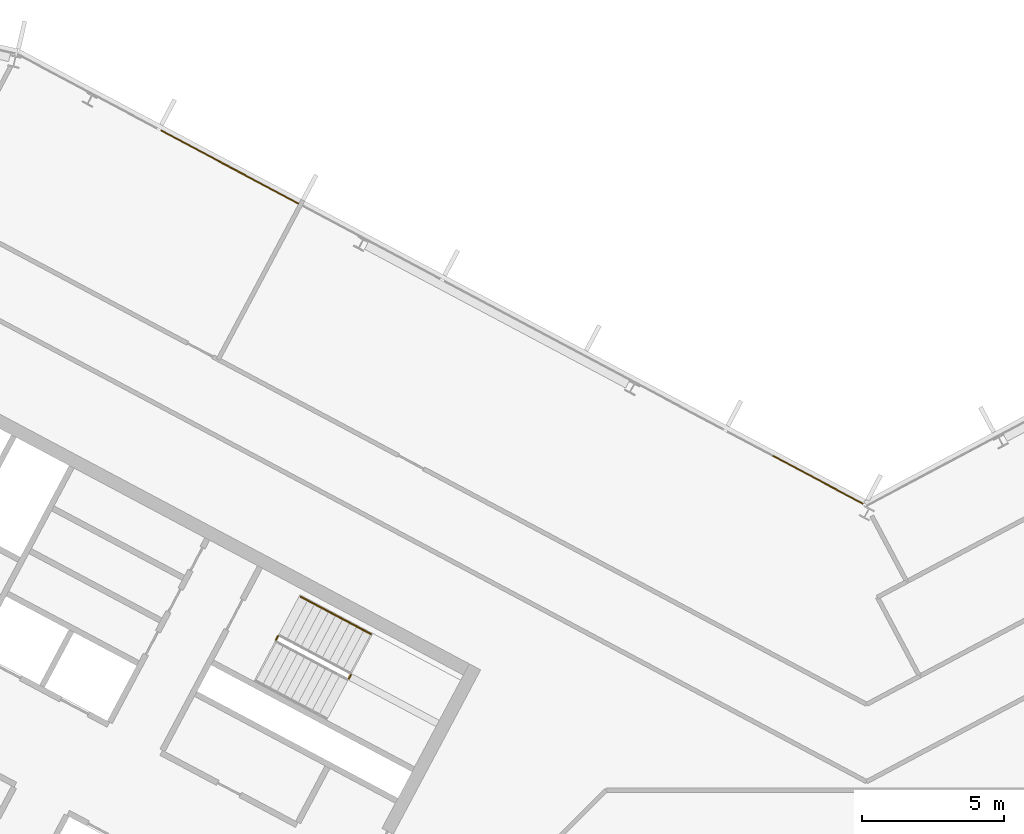
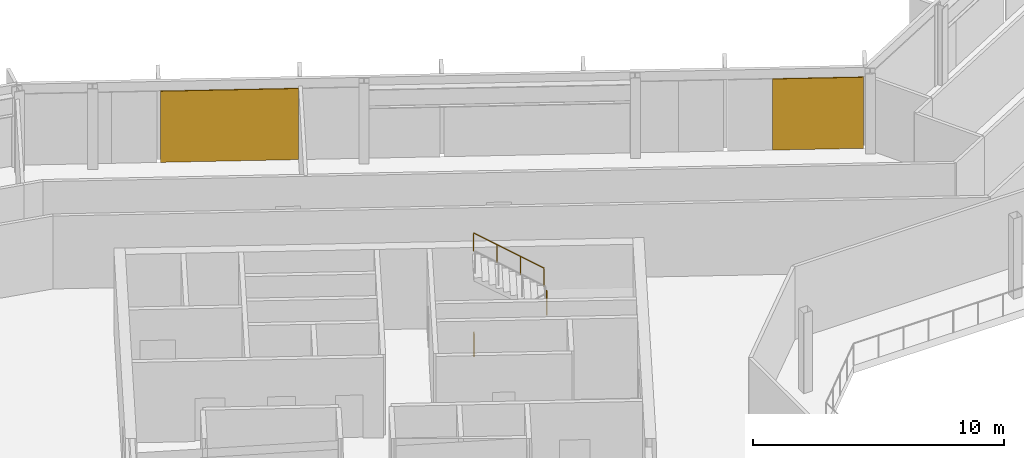
# One storey, part 23 of 26: 3 railings, 2 coverings, 1 element without a shape of its own.
"""IFC4 building model written with IfcOpenShell, lengths in metres."""

import ifcopenshell
import ifcopenshell.guid

model = None  # the IFC model being written
_history = None  # IfcOwnerHistory: only IFC2X3 demands one
_inside = {}  # id of a spatial element -> (the spatial element, [elements in it])
_under = {}  # id of a project, library or spatial element -> (it, [spatial elements below it])
_declared = {}  # id of a project -> (the project, [libraries it declares])
_typed = {}  # id of a type object -> (the type object, [elements of that type])
_made_of = {}  # id of a material, layer set ... -> (it, [elements and type objects made of it])


def new_model(schema):
    """Start an empty IFC model of exactly this schema.

    Asked for "IFC4X3", IfcOpenShell would pick the latest addendum, in which some entities
    have other attributes; the version numbers below select the first issue.
    IFC2X3 requires an IfcOwnerHistory on every rooted entity: one is made here for all.
    """
    global model, _history
    if schema == "IFC4X3":
        model = ifcopenshell.file(schema_version=(4, 3, 0, 0))
    else:
        model = ifcopenshell.file(schema=schema)
    _inside.clear()
    _under.clear()
    _declared.clear()
    _typed.clear()
    _made_of.clear()
    _history = None
    if model.schema == "IFC2X3":
        org = make("IfcOrganization", Name="unknown")
        user = make(
            "IfcPersonAndOrganization",
            ThePerson=make("IfcPerson", FamilyName="unknown"),
            TheOrganization=org,
        )
        app = make(
            "IfcApplication",
            ApplicationDeveloper=org,
            Version="unknown",
            ApplicationFullName="unknown",
            ApplicationIdentifier="unknown",
        )
        _history = make(
            "IfcOwnerHistory",
            OwningUser=user,
            OwningApplication=app,
            ChangeAction="ADDED",
            CreationDate=0,
        )
    return model


def make(cls, **values):
    """One entity of the class cls with the attributes given. An attribute that is None is left unset."""
    return model.create_entity(
        cls, **{name: value for name, value in values.items() if value is not None}
    )


def rooted(cls, **values):
    """An entity with a GlobalId (a new one), such as an element, a storey or a relation."""
    return make(cls, GlobalId=ifcopenshell.guid.new(), OwnerHistory=_history, **values)


def si_unit(unit_type, name, prefix=None):
    """IfcSIUnit, for example si_unit("LENGTHUNIT", "METRE", prefix="MILLI")."""
    return make("IfcSIUnit", UnitType=unit_type, Prefix=prefix, Name=name)


def assignment(units):
    """IfcUnitAssignment: the units of a project."""
    return None if units is None else make("IfcUnitAssignment", Units=units)


def point(xyz):
    """IfcCartesianPoint."""
    return None if xyz is None else make("IfcCartesianPoint", Coordinates=xyz)


def direction(xyz):
    """IfcDirection."""
    return None if xyz is None else make("IfcDirection", DirectionRatios=xyz)


def frame(location, z_axis=None, x_axis=None):
    """IfcAxis2Placement3D, a coordinate frame: its origin and axes. An axis left out is left unset."""
    return make(
        "IfcAxis2Placement3D",
        Location=point(location),
        Axis=direction(z_axis),
        RefDirection=direction(x_axis),
    )


def frame_2d(location, x_axis=None):
    """IfcAxis2Placement2D, a coordinate frame in the plane: its origin and x axis."""
    return make(
        "IfcAxis2Placement2D", Location=point(location), RefDirection=direction(x_axis)
    )


def origin():
    """The frame at (0, 0, 0) with its axes left unset."""
    return frame((0.0, 0.0, 0.0))


def origin_2d():
    """The frame at (0, 0) in the plane with its x axis left unset."""
    return frame_2d((0.0, 0.0))


def place(relative_to, where):
    """IfcLocalPlacement: puts the frame where relative to a parent placement (None: the world)."""
    return make(
        "IfcLocalPlacement", PlacementRelTo=relative_to, RelativePlacement=where
    )


def context(
    kind, dimensions, precision=None, world=None, true_north=None, identifier=None
):
    """IfcGeometricRepresentationContext, for example the 3D "Model" context."""
    return make(
        "IfcGeometricRepresentationContext",
        ContextIdentifier=identifier,
        ContextType=kind,
        CoordinateSpaceDimension=dimensions,
        Precision=precision,
        WorldCoordinateSystem=world,
        TrueNorth=true_north,
    )


def subcontext(parent, identifier, kind, view, scale=None):
    """IfcGeometricRepresentationSubContext, for example "Body" below "Model"."""
    return make(
        "IfcGeometricRepresentationSubContext",
        ContextIdentifier=identifier,
        ContextType=kind,
        ParentContext=parent,
        TargetScale=scale,
        TargetView=view,
    )


def project(units=None, contexts=None):
    """IfcProject with its units and contexts."""
    return rooted(
        "IfcProject",
        Name="project",
        RepresentationContexts=contexts,
        UnitsInContext=assignment(units),
    )


def spatial(cls, under=None, at=None, **own):
    """A site, building, storey or space (cls), placed at a placement, below another one or the project."""
    s = rooted(cls, ObjectPlacement=at, **own)
    if under is not None:
        _under.setdefault(under.id(), (under, []))[1].append(s)
    return s


def polyline(points):
    """IfcPolyline through the points."""
    return make("IfcPolyline", Points=[point(p) for p in points])


def profile(cls, at=None, kind="AREA", **sizes):
    """A parametric profile (cls). Its sizes go by their IFC names, for example OverallWidth=200.0."""
    return make(cls, ProfileType=kind, Position=at, **sizes)


def rectangle(**sizes):
    """IfcRectangleProfileDef."""
    return profile("IfcRectangleProfileDef", **sizes)


def outline(outer, holes=None, kind="AREA"):
    """IfcArbitraryClosedProfileDef: a profile drawn as a closed curve; with holes, ...WithVoids."""
    if holes is None:
        return make("IfcArbitraryClosedProfileDef", ProfileType=kind, OuterCurve=outer)
    return make(
        "IfcArbitraryProfileDefWithVoids",
        ProfileType=kind,
        OuterCurve=outer,
        InnerCurves=holes,
    )


def extrude(swept, where, along, depth):
    """IfcExtrudedAreaSolid: the profile swept, set in the frame where, extruded along a direction by depth."""
    return make(
        "IfcExtrudedAreaSolid",
        SweptArea=swept,
        Position=where,
        ExtrudedDirection=direction(along),
        Depth=depth,
    )


def shape(context_of_items, identifier, shape_type, items):
    """IfcShapeRepresentation: the items that make up one representation, for example the "Body"."""
    return make(
        "IfcShapeRepresentation",
        ContextOfItems=context_of_items,
        RepresentationIdentifier=identifier,
        RepresentationType=shape_type,
        Items=items,
    )


def material(Name=None, Category=None):
    """IfcMaterial."""
    return make("IfcMaterial", Name=Name, Category=Category)


def layer(
    of_material, thickness, ventilated=None, Name=None, Category=None, Priority=None
):
    """IfcMaterialLayer: one layer of a wall or slab, of a material (None: an air gap)."""
    return make(
        "IfcMaterialLayer",
        Material=of_material,
        LayerThickness=thickness,
        IsVentilated=ventilated,
        Name=Name,
        Category=Category,
        Priority=Priority,
    )


def layer_set(layers, Name=None):
    """IfcMaterialLayerSet."""
    return make("IfcMaterialLayerSet", MaterialLayers=layers, LayerSetName=Name)


def made_of(thing, what):
    """Note that an element or type object is made of a material, layer set ...; save() writes the relation."""
    if what is not None:
        _made_of.setdefault(what.id(), (what, []))[1].append(thing)
    return thing


def type_object(cls, material=None, **own):
    """A type object (cls), such as IfcWallType, which elements share."""
    return made_of(rooted(cls, **own), material)


def element(
    cls,
    number,
    at=None,
    inside=None,
    cuts=None,
    type_object=None,
    material=None,
    context=None,
    identifier="Body",
    shape_type=None,
    held_by="IfcProductDefinitionShape",
    body=None,
    shapes=None,
    **own,
):
    """One element of the class cls, such as IfcWall. Its Tag is "e" and its number.

    at: its placement. inside: the storey or other place that contains it. cuts: it is an
    opening in that element (IfcRelVoidsElement). A single representation is given by context,
    identifier, shape_type and body (its items); several are given by shapes. held_by: the class
    of the entity that holds the representations. save() writes the other relations.
    """
    e = rooted(cls, Tag="e%d" % number, ObjectPlacement=at, **own)
    if body is not None:
        shapes = [shape(context, identifier, shape_type, body)]
    if shapes is not None:
        e.Representation = make(held_by, Representations=shapes)
    if inside is not None:
        _inside.setdefault(inside.id(), (inside, []))[1].append(e)
    if cuts is not None:
        rooted(
            "IfcRelVoidsElement", RelatingBuildingElement=cuts, RelatedOpeningElement=e
        )
    if type_object is not None:
        _typed.setdefault(type_object.id(), (type_object, []))[1].append(e)
    return made_of(e, material)


def aggregate(whole, parts):
    """IfcRelAggregates: a whole, such as a stair, and the parts it consists of."""
    return rooted("IfcRelAggregates", RelatingObject=whole, RelatedObjects=parts)


def save(model, path):
    """Write the relations noted so far, then the file.

    IfcRelAggregates (storeys below a building ...), IfcRelContainedInSpatialStructure (elements
    in a storey), IfcRelDefinesByType, IfcRelAssociatesMaterial and IfcRelDeclares: one each for
    every whole, place, type object, material and project.
    """
    for whole, parts in _under.values():
        aggregate(whole, parts)
    for where, things in _inside.values():
        rooted(
            "IfcRelContainedInSpatialStructure",
            RelatedElements=things,
            RelatingStructure=where,
        )
    for kind, things in _typed.values():
        rooted("IfcRelDefinesByType", RelatedObjects=things, RelatingType=kind)
    for what, things in _made_of.values():
        rooted("IfcRelAssociatesMaterial", RelatedObjects=things, RelatingMaterial=what)
    for by, libraries in _declared.values():
        rooted("IfcRelDeclares", RelatingContext=by, RelatedDefinitions=libraries)
    model.write(path)


model = new_model("IFC4")

# Units and contexts
model_context = context("Model", 3, precision=1e-05, world=origin(), true_north=direction((0.0, 1.0)))
body_context = subcontext(model_context, "Body", "Model", "MODEL_VIEW")
ifc_project = project(units=[si_unit("LENGTHUNIT", "METRE"), si_unit("AREAUNIT", "SQUARE_METRE"), si_unit("VOLUMEUNIT", "CUBIC_METRE"), si_unit("PLANEANGLEUNIT", "RADIAN"), si_unit("MASSUNIT", "GRAM", prefix="KILO")], contexts=[model_context])

# Site, building, storey
site_placement = place(None, origin())
site = spatial("IfcSite", under=ifc_project, at=site_placement, CompositionType="ELEMENT")
building_placement = place(site_placement, origin())
building = spatial("IfcBuilding", under=site, at=building_placement, Name="Cormorant Relay Tower", CompositionType="ELEMENT")
storey_placement = place(building_placement, frame((0.0, 0.0, 293.10009765625)))
storey = spatial("IfcBuildingStorey", under=building, at=storey_placement, Name="L66", CompositionType="ELEMENT", Elevation=293.10009765625)

# Curtain wall, coverings
ifc_material_1 = material(Name="Aluminium 6063-T6 anodised bronze", Category="aluminium")
ifc_layer_1 = layer(ifc_material_1, 0.199951171875)
ifc_layer_set_1 = layer_set([ifc_layer_1], Name="CW1 unitised bronze curtain wall with vertical fins")
curtain_wall_type = type_object("IfcCurtainWallType", Name="CW1 unitised bronze curtain wall with vertical fins", PredefinedType="NOTDEFINED", material=ifc_layer_set_1)
curtain_wall_placement = place(storey_placement, origin())
curtain_wall = element("IfcCurtainWall", 1, at=curtain_wall_placement, inside=storey, type_object=curtain_wall_type, Name="CW1 curtain wall 9", PredefinedType="NOTDEFINED")
ifc_material_2 = material(Name="Pale bronze anodised aluminium insulated panel", Category="aluminium")
ifc_layer_2 = layer(ifc_material_2, 0.0400390625)
ifc_layer_set_2 = layer_set([ifc_layer_2], Name="CW1 pale bronze insulated panel 40")
covering_type = type_object("IfcCoveringType", Name="CW1 pale bronze insulated panel 40", PredefinedType="CLADDING", material=ifc_layer_set_2)
covering_1_placement = place(storey_placement, frame((-1.718505859375, 24.720458984375, 0.0), z_axis=(0.0, 0.0, 1.0), x_axis=(-0.882947592859, 0.469471562786, 0.0)))
covering_1 = element("IfcCovering", 2, at=covering_1_placement, type_object=covering_type, Name="CW1 panel S00", PredefinedType="CLADDING", context=body_context, shape_type="SweptSolid", body=[
    extrude(rectangle(XDim=3.614013671875, YDim=0.0400390625, at=origin_2d()), origin(), (0.0, 0.0, 1.0), 3.449951171875),
])
covering_2_placement = place(storey_placement, frame((-22.39599609375, 35.714599609375, 0.0), z_axis=(0.0, 0.0, 1.0), x_axis=(-0.882947592859, 0.469471562786, 0.0)))
covering_2 = element("IfcCovering", 3, at=covering_2_placement, type_object=covering_type, Name="CW1 panel S05", PredefinedType="CLADDING", context=body_context, shape_type="SweptSolid", body=[
    extrude(rectangle(XDim=5.489013671875, YDim=0.0400390625, at=origin_2d()), origin(), (0.0, 0.0, 1.0), 3.449951171875),
])
aggregate(curtain_wall, [covering_1, covering_2])

# Railings
ifc_material_3 = material(Name="Steel ASTM A572 Grade 50 (Fy 345 MPa)", Category="steel")
railing_type_1 = type_object("IfcRailingType", Name="Stair guard 1100", PredefinedType="GUARDRAIL", material=ifc_material_3)
railing_1_placement = place(storey_placement, frame((-18.210693359375, 17.72412109375, 1.949951171875)))
element("IfcRailing", 4, at=railing_1_placement, inside=storey, type_object=railing_type_1, Name="L66 A1 stair guard 2", PredefinedType="GUARDRAIL", context=body_context, shape_type="SweptSolid", body=[
    extrude(outline(polyline([(0.022216796875, 0.00927734375), (0.00927734375, 0.022216796875), (-0.00927734375, 0.022216796875), (-0.022216796875, 0.00927734375), (-0.022216796875, -0.00927734375), (-0.00927734375, -0.022216796875), (0.00927734375, -0.022216796875), (0.022216796875, -0.00927734375), (0.022216796875, 0.00927734375)])), frame((0.0, 0.0, 1.076171875), z_axis=(0.470503732759, 0.882398003998, 0.0), x_axis=(-0.882398003998, 0.470503732759, 0.0)), (0.0, 0.0, 1.0), 0.14990234375),
    extrude(outline(polyline([(0.019287109375, 0.008056640625), (0.008056640625, 0.019287109375), (-0.008056640625, 0.019287109375), (-0.019287109375, 0.008056640625), (-0.019287109375, -0.008056640625), (-0.008056640625, -0.019287109375), (0.008056640625, -0.019287109375), (0.019287109375, -0.008056640625), (0.019287109375, 0.008056640625)])), origin(), (0.0, 0.0, 1.0), 1.052001953125),
    extrude(outline(polyline([(0.019287109375, 0.008056640625), (0.008056640625, 0.019287109375), (-0.008056640625, 0.019287109375), (-0.019287109375, 0.008056640625), (-0.019287109375, -0.008056640625), (-0.008056640625, -0.019287109375), (0.008056640625, -0.019287109375), (0.019287109375, -0.008056640625), (0.019287109375, 0.008056640625)])), frame((0.070556640625, 0.13232421875, 0.0)), (0.0, 0.0, 1.0), 1.052001953125),
])
railing_2_placement = place(storey_placement, frame((-20.771240234375, 19.08544921875, 0.0)))
element("IfcRailing", 5, at=railing_2_placement, inside=storey, type_object=railing_type_1, Name="L66 A1 stair guard 4", PredefinedType="GUARDRAIL", context=body_context, shape_type="SweptSolid", body=[
    extrude(outline(polyline([(0.022216796875, 0.00927734375), (0.00927734375, 0.022216796875), (-0.00927734375, 0.022216796875), (-0.022216796875, 0.00927734375), (-0.022216796875, -0.00927734375), (-0.00927734375, -0.022216796875), (0.00927734375, -0.022216796875), (0.022216796875, -0.00927734375), (0.022216796875, 0.00927734375)])), frame((0.0, 0.0, 1.076171875), z_axis=(0.469828648786, 0.882757634224, 0.0), x_axis=(-0.882757634224, 0.469828648786, 0.0)), (0.0, 0.0, 1.0), 0.150146484375),
    extrude(outline(polyline([(0.019287109375, 0.008056640625), (0.008056640625, 0.019287109375), (-0.008056640625, 0.019287109375), (-0.019287109375, 0.008056640625), (-0.019287109375, -0.008056640625), (-0.008056640625, -0.019287109375), (0.008056640625, -0.019287109375), (0.019287109375, -0.008056640625), (0.019287109375, 0.008056640625)])), origin(), (0.0, 0.0, 1.0), 1.052001953125),
    extrude(outline(polyline([(0.019287109375, 0.008056640625), (0.008056640625, 0.019287109375), (-0.008056640625, 0.019287109375), (-0.019287109375, 0.008056640625), (-0.019287109375, -0.008056640625), (-0.008056640625, -0.019287109375), (0.008056640625, -0.019287109375), (0.019287109375, -0.008056640625), (0.019287109375, 0.008056640625)])), frame((0.070556640625, 0.132568359375, 0.0)), (0.0, 0.0, 1.0), 1.052001953125),
])
ifc_material_4 = material(Name="Steel ASTM A572 Grade 50 (Fy 345 MPa)", Category="steel")
railing_type_2 = type_object("IfcRailingType", Name="Stair handrail 900", PredefinedType="HANDRAIL", material=ifc_material_4)
railing_3_placement = place(storey_placement, frame((-17.433349609375, 19.292724609375, 2.127197265625)))
element("IfcRailing", 6, at=railing_3_placement, inside=storey, type_object=railing_type_2, Name="L66 A1 stair handrail 2", PredefinedType="HANDRAIL", context=body_context, shape_type="SweptSolid", body=[
    extrude(outline(polyline([(0.022216796875, 0.00927734375), (0.00927734375, 0.022216796875), (-0.00927734375, 0.022216796875), (-0.022216796875, 0.00927734375), (-0.022216796875, -0.00927734375), (-0.00927734375, -0.022216796875), (0.00927734375, -0.022216796875), (0.022216796875, -0.00927734375), (0.022216796875, 0.00927734375)])), frame((0.0, 0.0, 0.8759765625), z_axis=(-0.746001213114, 0.396649272309, 0.534931345884), x_axis=(-0.469465464807, -0.882950835185, 0.0)), (0.0, 0.0, 1.0), 3.31396484375),
    extrude(outline(polyline([(0.019287109375, 0.008056640625), (0.008056640625, 0.019287109375), (-0.008056640625, 0.019287109375), (-0.019287109375, 0.008056640625), (-0.019287109375, -0.008056640625), (-0.008056640625, -0.019287109375), (0.008056640625, -0.019287109375), (0.019287109375, -0.008056640625), (0.019287109375, 0.008056640625)])), origin(), (0.0, 0.0, 1.0), 0.851806640625),
    extrude(outline(polyline([(0.019287109375, 0.008056640625), (0.008056640625, 0.019287109375), (-0.008056640625, 0.019287109375), (-0.019287109375, 0.008056640625), (-0.019287109375, -0.008056640625), (-0.008056640625, -0.019287109375), (0.008056640625, -0.019287109375), (0.019287109375, -0.008056640625), (0.019287109375, 0.008056640625)])), frame((-0.823974609375, 0.438232421875, 0.5908203125)), (0.0, 0.0, 1.0), 0.851806640625),
    extrude(outline(polyline([(0.019287109375, 0.008056640625), (0.008056640625, 0.019287109375), (-0.008056640625, 0.019287109375), (-0.019287109375, 0.008056640625), (-0.019287109375, -0.008056640625), (-0.008056640625, -0.019287109375), (0.008056640625, -0.019287109375), (0.019287109375, -0.008056640625), (0.019287109375, 0.008056640625)])), frame((-1.648193359375, 0.876220703125, 1.181884765625)), (0.0, 0.0, 1.0), 0.851806640625),
    extrude(outline(polyline([(0.019287109375, 0.008056640625), (0.008056640625, 0.019287109375), (-0.008056640625, 0.019287109375), (-0.019287109375, 0.008056640625), (-0.019287109375, -0.008056640625), (-0.008056640625, -0.019287109375), (0.008056640625, -0.019287109375), (0.019287109375, -0.008056640625), (0.019287109375, 0.008056640625)])), frame((-2.47216796875, 1.314453125, 1.772705078125)), (0.0, 0.0, 1.0), 0.851806640625),
])

save(model, "model.ifc")
